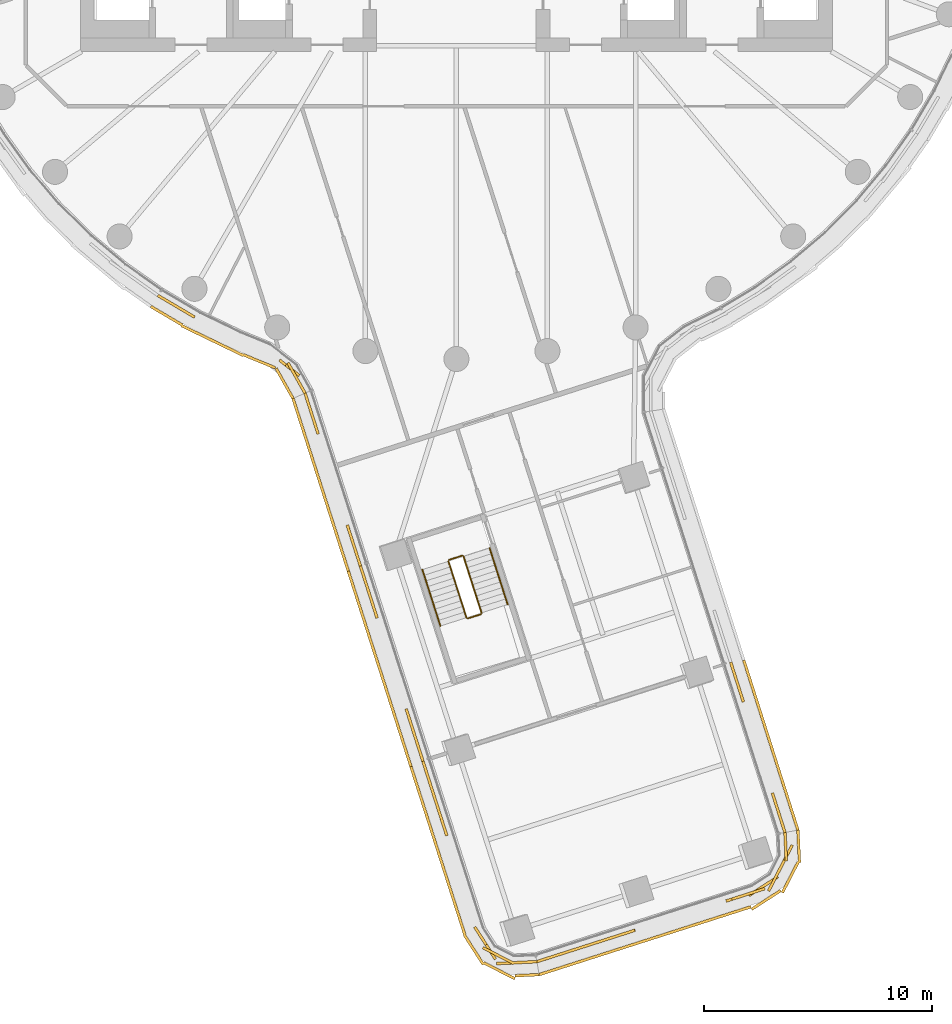
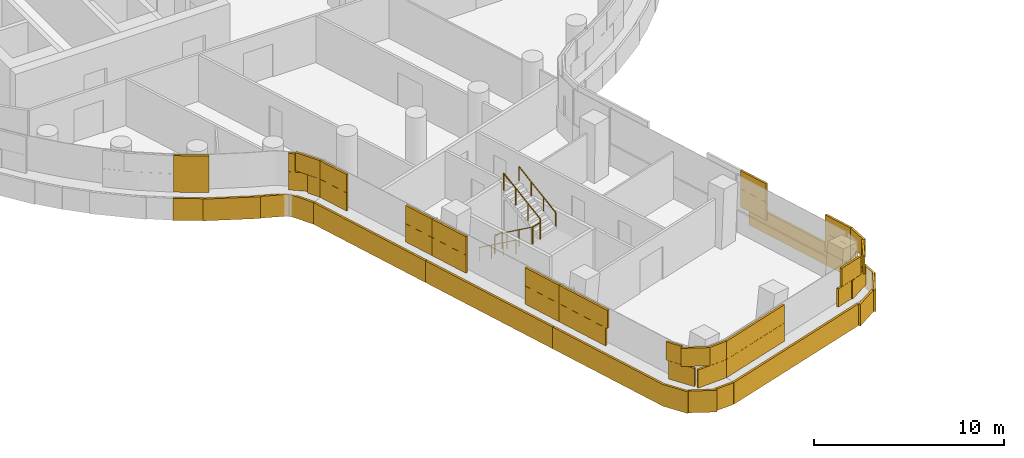
# One storey, part 24 of 30: 6 coverings, 6 railings.
"""IFC4 building model written with IfcOpenShell, lengths in metres."""

from ifc_helpers import new_model, si_unit, direction, frame, origin, origin_2d, place, context, subcontext, project, spatial, rectangle, circle, extrude, material, layer, layer_set, type_object, element, save


model = new_model("IFC4")

# Units and contexts
model_context = context("Model", 3, precision=1e-05, world=origin(), true_north=direction((0.0, 1.0)))
body_context = subcontext(model_context, "Body", "Model", "MODEL_VIEW")
ifc_project = project(units=[si_unit("LENGTHUNIT", "METRE"), si_unit("AREAUNIT", "SQUARE_METRE"), si_unit("VOLUMEUNIT", "CUBIC_METRE"), si_unit("PLANEANGLEUNIT", "RADIAN"), si_unit("MASSUNIT", "GRAM", prefix="KILO")], contexts=[model_context])

# Site, building, storey
site_placement = place(None, origin())
site = spatial("IfcSite", under=ifc_project, at=site_placement, CompositionType="ELEMENT")
building_placement = place(site_placement, origin())
building = spatial("IfcBuilding", under=site, at=building_placement, Name="Tamarind Cross Interchange Tower", CompositionType="ELEMENT")
storey_placement = place(building_placement, frame((0.0, 0.0, 98.5)))
storey = spatial("IfcBuildingStorey", under=building, at=storey_placement, Name="L23", CompositionType="ELEMENT", Elevation=98.5)

# Railings
ifc_material_1 = material(Name="Stair guard")
railing_type_1 = type_object("IfcRailingType", Name="Stair guard", PredefinedType="GUARDRAIL", material=ifc_material_1)
railing_1_placement = place(storey_placement, frame((-0.353271484375, -31.878662109375, 0.17041015625)))
element("IfcRailing", 1, at=railing_1_placement, inside=storey, type_object=railing_type_1, Name="L23 ST6 stair guard 1", PredefinedType="GUARDRAIL", context=body_context, shape_type="SweptSolid", body=[
    extrude(circle(Radius=0.02392578125, at=origin_2d()), frame((0.0, 0.0, 1.076171875), z_axis=(0.255136052864, -0.796426546061, 0.548279446322), x_axis=(0.952327065072, 0.305078942459, 0.0)), (0.0, 0.0, 1.0), 3.10888671875),
    extrude(circle(Radius=0.02099609375, at=origin_2d()), origin(), (0.0, 0.0, 1.0), 1.052001953125),
    extrude(circle(Radius=0.02099609375, at=origin_2d()), frame((0.264404296875, -0.825439453125, 0.568115234375)), (0.0, 0.0, 1.0), 1.052001953125),
    extrude(circle(Radius=0.02099609375, at=origin_2d()), frame((0.52880859375, -1.650634765625, 1.136474609375)), (0.0, 0.0, 1.0), 1.052001953125),
    extrude(circle(Radius=0.02099609375, at=origin_2d()), frame((0.793212890625, -2.47607421875, 1.70458984375)), (0.0, 0.0, 1.0), 1.052001953125),
])
railing_2_placement = place(storey_placement, frame((0.502685546875, -34.386962890625, 1.875)))
element("IfcRailing", 2, at=railing_2_placement, inside=storey, type_object=railing_type_1, Name="L23 ST6 stair guard 2", PredefinedType="GUARDRAIL", context=body_context, shape_type="SweptSolid", body=[
    extrude(circle(Radius=0.02392578125, at=origin_2d()), frame((0.0, 0.0, 1.076171875), z_axis=(0.95243831805, 0.304731439649, 0.0), x_axis=(-0.304731439649, 0.95243831805, 0.0)), (0.0, 0.0, 1.0), 0.60009765625),
    extrude(circle(Radius=0.02099609375, at=origin_2d()), origin(), (0.0, 0.0, 1.0), 1.052001953125),
    extrude(circle(Radius=0.02099609375, at=origin_2d()), frame((0.571533203125, 0.182861328125, 0.0)), (0.0, 0.0, 1.0), 1.052001953125),
])
railing_3_placement = place(storey_placement, frame((1.1064453125, -34.14111328125, 2.04541015625)))
element("IfcRailing", 3, at=railing_3_placement, inside=storey, type_object=railing_type_1, Name="L23 ST6 stair guard 3", PredefinedType="GUARDRAIL", context=body_context, shape_type="SweptSolid", body=[
    extrude(circle(Radius=0.02392578125, at=origin_2d()), frame((0.0, 0.0, 1.076171875), z_axis=(-0.255136052864, 0.796426546061, 0.548279446322), x_axis=(-0.952327065072, -0.305078942459, 0.0)), (0.0, 0.0, 1.0), 3.10888671875),
    extrude(circle(Radius=0.02099609375, at=origin_2d()), origin(), (0.0, 0.0, 1.0), 1.052001953125),
    extrude(circle(Radius=0.02099609375, at=origin_2d()), frame((-0.264404296875, 0.825439453125, 0.568115234375)), (0.0, 0.0, 1.0), 1.052001953125),
    extrude(circle(Radius=0.02099609375, at=origin_2d()), frame((-0.52880859375, 1.650634765625, 1.136474609375)), (0.0, 0.0, 1.0), 1.052001953125),
    extrude(circle(Radius=0.02099609375, at=origin_2d()), frame((-0.793212890625, 2.47607421875, 1.70458984375)), (0.0, 0.0, 1.0), 1.052001953125),
])
railing_4_placement = place(storey_placement, frame((-0.321044921875, -31.815673828125, 0.0)))
element("IfcRailing", 4, at=railing_4_placement, inside=storey, type_object=railing_type_1, Name="L23 ST6 stair guard 4", PredefinedType="GUARDRAIL", context=body_context, shape_type="SweptSolid", body=[
    extrude(circle(Radius=0.02392578125, at=origin_2d()), frame((0.0, 0.0, 1.076171875), z_axis=(0.95243831805, 0.304731439649, 0.0), x_axis=(-0.304731439649, 0.95243831805, 0.0)), (0.0, 0.0, 1.0), 0.60009765625),
    extrude(circle(Radius=0.02099609375, at=origin_2d()), origin(), (0.0, 0.0, 1.0), 1.052001953125),
    extrude(circle(Radius=0.02099609375, at=origin_2d()), frame((0.571533203125, 0.182861328125, 0.0)), (0.0, 0.0, 1.0), 1.052001953125),
])
ifc_material_2 = material(Name="Stair handrail")
railing_type_2 = type_object("IfcRailingType", Name="Stair handrail", PredefinedType="HANDRAIL", material=ifc_material_2)
railing_5_placement = place(storey_placement, frame((-1.49609375, -32.24462890625, 0.17041015625)))
element("IfcRailing", 5, at=railing_5_placement, inside=storey, type_object=railing_type_2, Name="L23 ST6 stair handrail 1", PredefinedType="HANDRAIL", context=body_context, shape_type="SweptSolid", body=[
    extrude(circle(Radius=0.02392578125, at=origin_2d()), frame((0.0, 0.0, 0.8759765625), z_axis=(0.255136052864, -0.796426546061, 0.548279446322), x_axis=(0.952327065072, 0.305078942459, 0.0)), (0.0, 0.0, 1.0), 3.10888671875),
    extrude(circle(Radius=0.02099609375, at=origin_2d()), origin(), (0.0, 0.0, 1.0), 0.851806640625),
    extrude(circle(Radius=0.02099609375, at=origin_2d()), frame((0.264404296875, -0.825439453125, 0.568115234375)), (0.0, 0.0, 1.0), 0.851806640625),
    extrude(circle(Radius=0.02099609375, at=origin_2d()), frame((0.52880859375, -1.650634765625, 1.136474609375)), (0.0, 0.0, 1.0), 0.851806640625),
    extrude(circle(Radius=0.02099609375, at=origin_2d()), frame((0.793212890625, -2.47607421875, 1.70458984375)), (0.0, 0.0, 1.0), 0.851806640625),
])
railing_6_placement = place(storey_placement, frame((2.249267578125, -33.775146484375, 2.04541015625)))
element("IfcRailing", 6, at=railing_6_placement, inside=storey, type_object=railing_type_2, Name="L23 ST6 stair handrail 2", PredefinedType="HANDRAIL", context=body_context, shape_type="SweptSolid", body=[
    extrude(circle(Radius=0.02392578125, at=origin_2d()), frame((0.0, 0.0, 0.8759765625), z_axis=(-0.255136052864, 0.796426546061, 0.548279446322), x_axis=(-0.952327065072, -0.305078942459, 0.0)), (0.0, 0.0, 1.0), 3.10888671875),
    extrude(circle(Radius=0.02099609375, at=origin_2d()), origin(), (0.0, 0.0, 1.0), 0.851806640625),
    extrude(circle(Radius=0.02099609375, at=origin_2d()), frame((-0.264404296875, 0.825439453125, 0.568115234375)), (0.0, 0.0, 1.0), 0.851806640625),
    extrude(circle(Radius=0.02099609375, at=origin_2d()), frame((-0.52880859375, 1.650634765625, 1.136474609375)), (0.0, 0.0, 1.0), 0.851806640625),
    extrude(circle(Radius=0.02099609375, at=origin_2d()), frame((-0.793212890625, 2.47607421875, 1.70458984375)), (0.0, 0.0, 1.0), 0.851806640625),
])

# Coverings
ifc_material_3 = material(Name="Terracotta", Category="masonry")
ifc_layer = layer(ifc_material_3, 0.1201171875)
ifc_layer_set = layer_set([ifc_layer], Name="Terracotta")
covering_type = type_object("IfcCoveringType", Name="Terracotta baguette screen unit", PredefinedType="MOLDING", material=ifc_layer_set)
covering_1_placement = place(storey_placement, origin())
element("IfcCovering", 7, at=covering_1_placement, inside=storey, type_object=covering_type, Name="SCR-L23-10-01", PredefinedType="MOLDING", context=body_context, shape_type="SweptSolid", body=[
    extrude(rectangle(XDim=1.169189453125, YDim=0.1201171875, at=origin_2d()), frame((-12.6015625, -20.5068359375, 1.404052734375), z_axis=(0.0, 0.0, 1.0), x_axis=(0.861248933065, -0.508183308752, 0.0)), (0.0, 0.0, 1.0), 1.1669921875),
    extrude(rectangle(XDim=0.716064453125, YDim=0.1201171875, at=origin_2d()), frame((-11.798095703125, -20.98095703125, 1.404052734375), z_axis=(0.0, 0.0, 1.0), x_axis=(0.861248933065, -0.508183308752, 0.0)), (0.0, 0.0, 1.0), 1.1669921875),
    extrude(rectangle(XDim=1.103759765625, YDim=0.1201171875, at=origin_2d()), frame((-7.331298828125, -23.38525390625, 1.404052734375), z_axis=(0.0, 0.0, 1.0), x_axis=(0.788748359531, -0.614716215288, 0.0)), (0.0, 0.0, 1.0), 1.1669921875),
    extrude(rectangle(XDim=0.78173828125, YDim=0.1201171875, at=origin_2d()), frame((-6.833251953125, -24.162841796875, 1.404052734375), z_axis=(0.0, 0.0, 1.0), x_axis=(0.489833203154, -0.87181616932, 0.0)), (0.0, 0.0, 1.0), 1.1669921875),
    extrude(rectangle(XDim=0.419189453125, YDim=0.1201171875, at=origin_2d()), frame((-12.924560546875, -20.31640625, 2.5791015625), z_axis=(0.0, 0.0, 1.0), x_axis=(0.861248933065, -0.508183308752, 0.0)), (0.0, 0.0, 1.0), 1.1669921875),
    extrude(rectangle(XDim=1.466064453125, YDim=0.1201171875, at=origin_2d()), frame((-12.12109375, -20.790283203125, 2.5791015625), z_axis=(0.0, 0.0, 1.0), x_axis=(0.861248933065, -0.508183308752, 0.0)), (0.0, 0.0, 1.0), 1.1669921875),
    extrude(rectangle(XDim=0.353759765625, YDim=0.1201171875, at=origin_2d()), frame((-7.627197265625, -23.15478515625, 2.5791015625), z_axis=(0.0, 0.0, 1.0), x_axis=(0.788748359531, -0.614716215288, 0.0)), (0.0, 0.0, 1.0), 1.1669921875),
    extrude(rectangle(XDim=1.52001953125, YDim=0.1201171875, at=origin_2d()), frame((-7.022216796875, -23.826416015625, 2.5791015625), z_axis=(0.0, 0.0, 1.0), x_axis=(0.489833203154, -0.87181616932, 0.0)), (0.0, 0.0, 1.0), 1.1669921875),
    extrude(rectangle(XDim=0.03173828125, YDim=0.1201171875, at=origin_2d()), frame((-6.649658203125, -24.48974609375, 2.5791015625), z_axis=(0.0, 0.0, 1.0), x_axis=(0.489833203154, -0.87181616932, 0.0)), (0.0, 0.0, 1.0), 1.1669921875),
    extrude(rectangle(XDim=0.097900390625, YDim=0.1201171875, at=origin_2d()), frame((-13.37109375, -20.71923828125, 0.00390625), z_axis=(0.0, 0.0, 1.0), x_axis=(0.861248933065, -0.508183308752, 0.0)), (0.0, 0.0, 1.0), 1.39208984375),
    extrude(rectangle(XDim=1.52001953125, YDim=0.1201171875, at=origin_2d()), frame((-12.691650390625, -21.120361328125, 0.00390625), z_axis=(0.0, 0.0, 1.0), x_axis=(0.861248933065, -0.508183308752, 0.0)), (0.0, 0.0, 1.0), 1.39208984375),
    extrude(rectangle(XDim=1.52001953125, YDim=0.1201171875, at=origin_2d()), frame((-11.388671875, -21.86181640625, 0.00390625), z_axis=(0.0, 0.0, 1.0), x_axis=(0.900272776334, -0.435326231914, 0.0)), (0.0, 0.0, 1.0), 1.39208984375),
    extrude(rectangle(XDim=1.52001953125, YDim=0.1201171875, at=origin_2d()), frame((-10.0380859375, -22.514892578125, 0.00390625), z_axis=(0.0, 0.0, 1.0), x_axis=(0.900272776334, -0.435326231914, 0.0)), (0.0, 0.0, 1.0), 1.39208984375),
    extrude(rectangle(XDim=1.52001953125, YDim=0.1201171875, at=origin_2d()), frame((-8.65673828125, -23.0986328125, 0.00390625), z_axis=(0.0, 0.0, 1.0), x_axis=(0.924979748676, -0.380016400355, 0.0)), (0.0, 0.0, 1.0), 1.39208984375),
    extrude(rectangle(XDim=1.52001953125, YDim=0.1201171875, at=origin_2d()), frame((-7.542236328125, -24.072998046875, 0.00390625), z_axis=(0.0, 0.0, 1.0), x_axis=(0.489833203154, -0.87181616932, 0.0)), (0.0, 0.0, 1.0), 1.39208984375),
])
covering_2_placement = place(storey_placement, origin())
element("IfcCovering", 8, at=covering_2_placement, inside=storey, type_object=covering_type, Name="SCR-L23-11-00", PredefinedType="MOLDING", context=body_context, shape_type="SweptSolid", body=[
    extrude(rectangle(XDim=0.760009765625, YDim=0.1201171875, at=origin_2d()), frame((-6.52978515625, -24.8564453125, 1.404052734375), z_axis=(0.0, 0.0, 1.0), x_axis=(0.305057113111, -0.95233405785, 0.0)), (0.0, 0.0, 1.0), 1.1669921875),
    extrude(rectangle(XDim=1.138427734375, YDim=0.1201171875, at=origin_2d()), frame((-6.243408203125, -25.750732421875, 1.404052734375), z_axis=(0.0, 0.0, 1.0), x_axis=(0.305057113111, -0.95233405785, 0.0)), (0.0, 0.0, 1.0), 1.1669921875),
    extrude(rectangle(XDim=0.681640625, YDim=0.1201171875, at=origin_2d()), frame((-4.6875, -30.607666015625, 1.404052734375), z_axis=(0.0, 0.0, 1.0), x_axis=(0.305057113111, -0.95233405785, 0.0)), (0.0, 0.0, 1.0), 1.1669921875),
    extrude(rectangle(XDim=1.216796875, YDim=0.1201171875, at=origin_2d()), frame((-4.401123046875, -31.502197265625, 1.404052734375), z_axis=(0.0, 0.0, 1.0), x_axis=(0.305057113111, -0.95233405785, 0.0)), (0.0, 0.0, 1.0), 1.1669921875),
    extrude(rectangle(XDim=1.510009765625, YDim=0.1201171875, at=origin_2d()), frame((-6.41552734375, -25.21337890625, 2.5791015625), z_axis=(0.0, 0.0, 1.0), x_axis=(0.305057113111, -0.95233405785, 0.0)), (0.0, 0.0, 1.0), 1.1669921875),
    extrude(rectangle(XDim=0.388427734375, YDim=0.1201171875, at=origin_2d()), frame((-6.12890625, -26.10791015625, 2.5791015625), z_axis=(0.0, 0.0, 1.0), x_axis=(0.305057113111, -0.95233405785, 0.0)), (0.0, 0.0, 1.0), 1.1669921875),
    extrude(rectangle(XDim=1.431640625, YDim=0.1201171875, at=origin_2d()), frame((-4.5732421875, -30.96484375, 2.5791015625), z_axis=(0.0, 0.0, 1.0), x_axis=(0.305057113111, -0.95233405785, 0.0)), (0.0, 0.0, 1.0), 1.1669921875),
    extrude(rectangle(XDim=0.466796875, YDim=0.1201171875, at=origin_2d()), frame((-4.28662109375, -31.859130859375, 2.5791015625), z_axis=(0.0, 0.0, 1.0), x_axis=(0.305057113111, -0.95233405785, 0.0)), (0.0, 0.0, 1.0), 1.1669921875),
    extrude(rectangle(XDim=0.760009765625, YDim=0.1201171875, at=origin_2d()), frame((-7.057373046875, -25.091552734375, 0.00390625), z_axis=(0.0, 0.0, 1.0), x_axis=(0.305057113111, -0.95233405785, 0.0)), (0.0, 0.0, 1.0), 1.39208984375),
    extrude(rectangle(XDim=1.52001953125, YDim=0.1201171875, at=origin_2d()), frame((-6.715576171875, -26.158203125, 0.00390625), z_axis=(0.0, 0.0, 1.0), x_axis=(0.305057113111, -0.95233405785, 0.0)), (0.0, 0.0, 1.0), 1.39208984375),
    extrude(rectangle(XDim=1.52001953125, YDim=0.1201171875, at=origin_2d()), frame((-6.258056640625, -27.586669921875, 0.00390625), z_axis=(0.0, 0.0, 1.0), x_axis=(0.305057113111, -0.95233405785, 0.0)), (0.0, 0.0, 1.0), 1.39208984375),
    extrude(rectangle(XDim=1.52001953125, YDim=0.1201171875, at=origin_2d()), frame((-5.800537109375, -29.01513671875, 0.00390625), z_axis=(0.0, 0.0, 1.0), x_axis=(0.305057113111, -0.95233405785, 0.0)), (0.0, 0.0, 1.0), 1.39208984375),
    extrude(rectangle(XDim=1.52001953125, YDim=0.1201171875, at=origin_2d()), frame((-5.3427734375, -30.443603515625, 0.00390625), z_axis=(0.0, 0.0, 1.0), x_axis=(0.305057113111, -0.95233405785, 0.0)), (0.0, 0.0, 1.0), 1.39208984375),
    extrude(rectangle(XDim=1.222412109375, YDim=0.1201171875, at=origin_2d()), frame((-4.9306640625, -31.73046875, 0.00390625), z_axis=(0.0, 0.0, 1.0), x_axis=(0.305057113111, -0.95233405785, 0.0)), (0.0, 0.0, 1.0), 1.39208984375),
])
covering_3_placement = place(storey_placement, origin())
element("IfcCovering", 9, at=covering_3_placement, inside=storey, type_object=covering_type, Name="SCR-L23-11-01", PredefinedType="MOLDING", context=body_context, shape_type="SweptSolid", body=[
    extrude(rectangle(XDim=0.30322265625, YDim=0.1201171875, at=origin_2d()), frame((-4.17236328125, -32.21630859375, 1.404052734375), z_axis=(0.0, 0.0, 1.0), x_axis=(0.305057113111, -0.95233405785, 0.0)), (0.0, 0.0, 1.0), 1.1669921875),
    extrude(rectangle(XDim=1.52001953125, YDim=0.1201171875, at=origin_2d()), frame((-3.898681640625, -33.0703125, 1.404052734375), z_axis=(0.0, 0.0, 1.0), x_axis=(0.305057113111, -0.95233405785, 0.0)), (0.0, 0.0, 1.0), 1.1669921875),
    extrude(rectangle(XDim=0.6171875, YDim=0.1201171875, at=origin_2d()), frame((-3.577392578125, -34.07373046875, 1.404052734375), z_axis=(0.0, 0.0, 1.0), x_axis=(0.305057113111, -0.95233405785, 0.0)), (0.0, 0.0, 1.0), 1.1669921875),
    extrude(rectangle(XDim=1.20263671875, YDim=0.1201171875, at=origin_2d()), frame((-2.021484375, -38.9306640625, 1.404052734375), z_axis=(0.0, 0.0, 1.0), x_axis=(0.305057113111, -0.95233405785, 0.0)), (0.0, 0.0, 1.0), 1.1669921875),
    extrude(rectangle(XDim=1.2177734375, YDim=0.1201171875, at=origin_2d()), frame((-1.655517578125, -40.073486328125, 1.404052734375), z_axis=(0.0, 0.0, 1.0), x_axis=(0.305057113111, -0.95233405785, 0.0)), (0.0, 0.0, 1.0), 1.1669921875),
    extrude(rectangle(XDim=1.05322265625, YDim=0.1201171875, at=origin_2d()), frame((-4.057861328125, -32.573486328125, 2.5791015625), z_axis=(0.0, 0.0, 1.0), x_axis=(0.305057113111, -0.95233405785, 0.0)), (0.0, 0.0, 1.0), 1.1669921875),
    extrude(rectangle(XDim=1.3671875, YDim=0.1201171875, at=origin_2d()), frame((-3.691650390625, -33.716552734375, 2.5791015625), z_axis=(0.0, 0.0, 1.0), x_axis=(0.305057113111, -0.95233405785, 0.0)), (0.0, 0.0, 1.0), 1.1669921875),
    extrude(rectangle(XDim=0.45263671875, YDim=0.1201171875, at=origin_2d()), frame((-2.135986328125, -38.573486328125, 2.5791015625), z_axis=(0.0, 0.0, 1.0), x_axis=(0.305057113111, -0.95233405785, 0.0)), (0.0, 0.0, 1.0), 1.1669921875),
    extrude(rectangle(XDim=1.52001953125, YDim=0.1201171875, at=origin_2d()), frame((-1.839599609375, -39.49853515625, 2.5791015625), z_axis=(0.0, 0.0, 1.0), x_axis=(0.305057113111, -0.95233405785, 0.0)), (0.0, 0.0, 1.0), 1.1669921875),
    extrude(rectangle(XDim=0.4677734375, YDim=0.1201171875, at=origin_2d()), frame((-1.541015625, -40.4306640625, 2.5791015625), z_axis=(0.0, 0.0, 1.0), x_axis=(0.305057113111, -0.95233405785, 0.0)), (0.0, 0.0, 1.0), 1.1669921875),
    extrude(rectangle(XDim=0.297607421875, YDim=0.1201171875, at=origin_2d()), frame((-4.69873046875, -32.454345703125, 0.00390625), z_axis=(0.0, 0.0, 1.0), x_axis=(0.305057113111, -0.95233405785, 0.0)), (0.0, 0.0, 1.0), 1.39208984375),
    extrude(rectangle(XDim=1.52001953125, YDim=0.1201171875, at=origin_2d()), frame((-4.427734375, -33.30078125, 0.00390625), z_axis=(0.0, 0.0, 1.0), x_axis=(0.305057113111, -0.95233405785, 0.0)), (0.0, 0.0, 1.0), 1.39208984375),
    extrude(rectangle(XDim=1.52001953125, YDim=0.1201171875, at=origin_2d()), frame((-3.97021484375, -34.729248046875, 0.00390625), z_axis=(0.0, 0.0, 1.0), x_axis=(0.305057113111, -0.95233405785, 0.0)), (0.0, 0.0, 1.0), 1.39208984375),
    extrude(rectangle(XDim=1.52001953125, YDim=0.1201171875, at=origin_2d()), frame((-3.512451171875, -36.15771484375, 0.00390625), z_axis=(0.0, 0.0, 1.0), x_axis=(0.305057113111, -0.95233405785, 0.0)), (0.0, 0.0, 1.0), 1.39208984375),
    extrude(rectangle(XDim=1.52001953125, YDim=0.1201171875, at=origin_2d()), frame((-3.054931640625, -37.586181640625, 0.00390625), z_axis=(0.0, 0.0, 1.0), x_axis=(0.305057113111, -0.95233405785, 0.0)), (0.0, 0.0, 1.0), 1.39208984375),
    extrude(rectangle(XDim=1.52001953125, YDim=0.1201171875, at=origin_2d()), frame((-2.597412109375, -39.0146484375, 0.00390625), z_axis=(0.0, 0.0, 1.0), x_axis=(0.305057113111, -0.95233405785, 0.0)), (0.0, 0.0, 1.0), 1.39208984375),
    extrude(rectangle(XDim=1.229736328125, YDim=0.1201171875, at=origin_2d()), frame((-2.18408203125, -40.304931640625, 0.00390625), z_axis=(0.0, 0.0, 1.0), x_axis=(0.305057113111, -0.95233405785, 0.0)), (0.0, 0.0, 1.0), 1.39208984375),
])
covering_4_placement = place(storey_placement, origin())
element("IfcCovering", 10, at=covering_4_placement, inside=storey, type_object=covering_type, Name="SCR-L23-11-02", PredefinedType="MOLDING", context=body_context, shape_type="SweptSolid", body=[
    extrude(rectangle(XDim=0.30224609375, YDim=0.1201171875, at=origin_2d()), frame((-1.426513671875, -40.787841796875, 1.404052734375), z_axis=(0.0, 0.0, 1.0), x_axis=(0.305057113111, -0.95233405785, 0.0)), (0.0, 0.0, 1.0), 1.1669921875),
    extrude(rectangle(XDim=1.52001953125, YDim=0.1201171875, at=origin_2d()), frame((-1.1533203125, -41.641357421875, 1.404052734375), z_axis=(0.0, 0.0, 1.0), x_axis=(0.305057113111, -0.95233405785, 0.0)), (0.0, 0.0, 1.0), 1.1669921875),
    extrude(rectangle(XDim=1.52001953125, YDim=0.1201171875, at=origin_2d()), frame((-0.69580078125, -43.06982421875, 1.404052734375), z_axis=(0.0, 0.0, 1.0), x_axis=(0.305057113111, -0.95233405785, 0.0)), (0.0, 0.0, 1.0), 1.1669921875),
    extrude(rectangle(XDim=1.52001953125, YDim=0.1201171875, at=origin_2d()), frame((1.30224609375, -48.704833984375, 1.404052734375), z_axis=(0.0, 0.0, 1.0), x_axis=(0.541144735519, -0.840929471014, 0.0)), (0.0, 0.0, 1.0), 1.1669921875),
    extrude(rectangle(XDim=1.52001953125, YDim=0.1201171875, at=origin_2d()), frame((2.515869140625, -49.502197265625, 1.404052734375), z_axis=(0.0, 0.0, 1.0), x_axis=(0.998838652449, 0.048180352576, 0.0)), (0.0, 0.0, 1.0), 1.1669921875),
    extrude(rectangle(XDim=0.276611328125, YDim=0.1201171875, at=origin_2d()), frame((3.398193359375, -49.459716796875, 1.404052734375), z_axis=(0.0, 0.0, 1.0), x_axis=(0.998838652449, 0.048180352576, 0.0)), (0.0, 0.0, 1.0), 1.1669921875),
    extrude(rectangle(XDim=1.05224609375, YDim=0.1201171875, at=origin_2d()), frame((-1.312255859375, -41.14501953125, 2.5791015625), z_axis=(0.0, 0.0, 1.0), x_axis=(0.305057113111, -0.95233405785, 0.0)), (0.0, 0.0, 1.0), 1.1669921875),
    extrude(rectangle(XDim=1.52001953125, YDim=0.1201171875, at=origin_2d()), frame((-0.924560546875, -42.35546875, 2.5791015625), z_axis=(0.0, 0.0, 1.0), x_axis=(0.305057113111, -0.95233405785, 0.0)), (0.0, 0.0, 1.0), 1.1669921875),
    extrude(rectangle(XDim=0.897216796875, YDim=0.1201171875, at=origin_2d()), frame((-0.560302734375, -43.4921875, 2.5791015625), z_axis=(0.0, 0.0, 1.0), x_axis=(0.305057113111, -0.95233405785, 0.0)), (0.0, 0.0, 1.0), 1.1669921875),
    extrude(rectangle(XDim=0.9228515625, YDim=0.1201171875, at=origin_2d()), frame((1.05517578125, -48.32080078125, 2.5791015625), z_axis=(0.0, 0.0, 1.0), x_axis=(0.541144735519, -0.840929471014, 0.0)), (0.0, 0.0, 1.0), 1.1669921875),
    extrude(rectangle(XDim=1.52001953125, YDim=0.1201171875, at=origin_2d()), frame((1.843017578125, -49.186767578125, 2.5791015625), z_axis=(0.0, 0.0, 1.0), x_axis=(0.889109823591, -0.45769391693, 0.0)), (0.0, 0.0, 1.0), 1.1669921875),
    extrude(rectangle(XDim=1.026611328125, YDim=0.1201171875, at=origin_2d()), frame((3.023681640625, -49.477783203125, 2.5791015625), z_axis=(0.0, 0.0, 1.0), x_axis=(0.998838652449, 0.048180352576, 0.0)), (0.0, 0.0, 1.0), 1.1669921875),
    extrude(rectangle(XDim=0.290283203125, YDim=0.1201171875, at=origin_2d()), frame((-1.9521484375, -41.02880859375, 0.00390625), z_axis=(0.0, 0.0, 1.0), x_axis=(0.305057113111, -0.95233405785, 0.0)), (0.0, 0.0, 1.0), 1.39208984375),
    extrude(rectangle(XDim=1.52001953125, YDim=0.1201171875, at=origin_2d()), frame((-1.68212890625, -41.871826171875, 0.00390625), z_axis=(0.0, 0.0, 1.0), x_axis=(0.305057113111, -0.95233405785, 0.0)), (0.0, 0.0, 1.0), 1.39208984375),
    extrude(rectangle(XDim=1.52001953125, YDim=0.1201171875, at=origin_2d()), frame((-1.224609375, -43.30029296875, 0.00390625), z_axis=(0.0, 0.0, 1.0), x_axis=(0.305057113111, -0.95233405785, 0.0)), (0.0, 0.0, 1.0), 1.39208984375),
    extrude(rectangle(XDim=1.52001953125, YDim=0.1201171875, at=origin_2d()), frame((-0.76708984375, -44.728759765625, 0.00390625), z_axis=(0.0, 0.0, 1.0), x_axis=(0.305057113111, -0.95233405785, 0.0)), (0.0, 0.0, 1.0), 1.39208984375),
    extrude(rectangle(XDim=1.52001953125, YDim=0.1201171875, at=origin_2d()), frame((-0.309326171875, -46.1572265625, 0.00390625), z_axis=(0.0, 0.0, 1.0), x_axis=(0.305057113111, -0.95233405785, 0.0)), (0.0, 0.0, 1.0), 1.39208984375),
    extrude(rectangle(XDim=1.52001953125, YDim=0.1201171875, at=origin_2d()), frame((0.148193359375, -47.585693359375, 0.00390625), z_axis=(0.0, 0.0, 1.0), x_axis=(0.305057113111, -0.95233405785, 0.0)), (0.0, 0.0, 1.0), 1.39208984375),
    extrude(rectangle(XDim=1.52001953125, YDim=0.1201171875, at=origin_2d()), frame((0.76904296875, -48.937255859375, 0.00390625), z_axis=(0.0, 0.0, 1.0), x_axis=(0.541144735519, -0.840929471014, 0.0)), (0.0, 0.0, 1.0), 1.39208984375),
    extrude(rectangle(XDim=1.52001953125, YDim=0.1201171875, at=origin_2d()), frame((1.89111328125, -49.85693359375, 0.00390625), z_axis=(0.0, 0.0, 1.0), x_axis=(0.889109823591, -0.45769391693, 0.0)), (0.0, 0.0, 1.0), 1.39208984375),
    extrude(rectangle(XDim=1.060302734375, YDim=0.1201171875, at=origin_2d()), frame((3.10498046875, -50.048583984375, 0.00390625), z_axis=(0.0, 0.0, 1.0), x_axis=(0.998838652449, 0.048180352576, 0.0)), (0.0, 0.0, 1.0), 1.39208984375),
])
covering_5_placement = place(storey_placement, origin())
element("IfcCovering", 11, at=covering_5_placement, inside=storey, type_object=covering_type, Name="SCR-L23-12-00", PredefinedType="MOLDING", context=body_context, shape_type="SweptSolid", body=[
    extrude(rectangle(XDim=0.760009765625, YDim=0.1201171875, at=origin_2d()), frame((3.888427734375, -49.3388671875, 1.404052734375), z_axis=(0.0, 0.0, 1.0), x_axis=(0.95233405785, 0.305057113111, 0.0)), (0.0, 0.0, 1.0), 1.1669921875),
    extrude(rectangle(XDim=1.52001953125, YDim=0.1201171875, at=origin_2d()), frame((4.959716796875, -48.99560546875, 1.404052734375), z_axis=(0.0, 0.0, 1.0), x_axis=(0.95233405785, 0.305057113111, 0.0)), (0.0, 0.0, 1.0), 1.1669921875),
    extrude(rectangle(XDim=1.52001953125, YDim=0.1201171875, at=origin_2d()), frame((6.38818359375, -48.5380859375, 1.404052734375), z_axis=(0.0, 0.0, 1.0), x_axis=(0.95233405785, 0.305057113111, 0.0)), (0.0, 0.0, 1.0), 1.1669921875),
    extrude(rectangle(XDim=0.784912109375, YDim=0.1201171875, at=origin_2d()), frame((7.471435546875, -48.191162109375, 1.404052734375), z_axis=(0.0, 0.0, 1.0), x_axis=(0.95233405785, 0.305057113111, 0.0)), (0.0, 0.0, 1.0), 1.1669921875),
    extrude(rectangle(XDim=1.03515625, YDim=0.1201171875, at=origin_2d()), frame((12.328369140625, -46.63525390625, 1.404052734375), z_axis=(0.0, 0.0, 1.0), x_axis=(0.95233405785, 0.305057113111, 0.0)), (0.0, 0.0, 1.0), 1.1669921875),
    extrude(rectangle(XDim=1.52001953125, YDim=0.1201171875, at=origin_2d()), frame((13.477783203125, -46.1376953125, 1.404052734375), z_axis=(0.0, 0.0, 1.0), x_axis=(0.840929471014, 0.541144735519, 0.0)), (0.0, 0.0, 1.0), 1.1669921875),
    extrude(rectangle(XDim=1.52001953125, YDim=0.1201171875, at=origin_2d()), frame((14.392333984375, -45.010986328125, 1.404052734375), z_axis=(0.0, 0.0, 1.0), x_axis=(0.45769391693, 0.889109823591, 0.0)), (0.0, 0.0, 1.0), 1.1669921875),
    extrude(rectangle(XDim=0.509521484375, YDim=0.1201171875, at=origin_2d()), frame((14.434326171875, -44.031982421875, 1.404052734375), z_axis=(0.0, 0.0, 1.0), x_axis=(-0.048180352576, 0.998838652449, 0.0)), (0.0, 0.0, 1.0), 1.1669921875),
    extrude(rectangle(XDim=1.510009765625, YDim=0.1201171875, at=origin_2d()), frame((4.24560546875, -49.224365234375, 2.5791015625), z_axis=(0.0, 0.0, 1.0), x_axis=(0.95233405785, 0.305057113111, 0.0)), (0.0, 0.0, 1.0), 1.1669921875),
    extrude(rectangle(XDim=1.52001953125, YDim=0.1201171875, at=origin_2d()), frame((5.674072265625, -48.766845703125, 2.5791015625), z_axis=(0.0, 0.0, 1.0), x_axis=(0.95233405785, 0.305057113111, 0.0)), (0.0, 0.0, 1.0), 1.1669921875),
    extrude(rectangle(XDim=1.52001953125, YDim=0.1201171875, at=origin_2d()), frame((7.1025390625, -48.309326171875, 2.5791015625), z_axis=(0.0, 0.0, 1.0), x_axis=(0.95233405785, 0.305057113111, 0.0)), (0.0, 0.0, 1.0), 1.1669921875),
    extrude(rectangle(XDim=1.52001953125, YDim=0.1201171875, at=origin_2d()), frame((12.816650390625, -46.47900390625, 2.5791015625), z_axis=(0.0, 0.0, 1.0), x_axis=(0.95233405785, 0.305057113111, 0.0)), (0.0, 0.0, 1.0), 1.1669921875),
    extrude(rectangle(XDim=1.52001953125, YDim=0.1201171875, at=origin_2d()), frame((14.049072265625, -45.677978515625, 2.5791015625), z_axis=(0.0, 0.0, 1.0), x_axis=(0.45769391693, 0.889109823591, 0.0)), (0.0, 0.0, 1.0), 1.1669921875),
    extrude(rectangle(XDim=1.259521484375, YDim=0.1201171875, at=origin_2d()), frame((14.452392578125, -44.406494140625, 2.5791015625), z_axis=(0.0, 0.0, 1.0), x_axis=(-0.048180352576, 0.998838652449, 0.0)), (0.0, 0.0, 1.0), 1.1669921875),
    extrude(rectangle(XDim=0.760009765625, YDim=0.1201171875, at=origin_2d()), frame((3.996337890625, -49.906982421875, 0.00390625), z_axis=(0.0, 0.0, 1.0), x_axis=(0.95233405785, 0.305057113111, 0.0)), (0.0, 0.0, 1.0), 1.39208984375),
    extrude(rectangle(XDim=1.52001953125, YDim=0.1201171875, at=origin_2d()), frame((5.06298828125, -49.5654296875, 0.00390625), z_axis=(0.0, 0.0, 1.0), x_axis=(0.95233405785, 0.305057113111, 0.0)), (0.0, 0.0, 1.0), 1.39208984375),
    extrude(rectangle(XDim=1.52001953125, YDim=0.1201171875, at=origin_2d()), frame((6.491455078125, -49.10791015625, 0.00390625), z_axis=(0.0, 0.0, 1.0), x_axis=(0.95233405785, 0.305057113111, 0.0)), (0.0, 0.0, 1.0), 1.39208984375),
    extrude(rectangle(XDim=1.52001953125, YDim=0.1201171875, at=origin_2d()), frame((7.919921875, -48.650146484375, 0.00390625), z_axis=(0.0, 0.0, 1.0), x_axis=(0.95233405785, 0.305057113111, 0.0)), (0.0, 0.0, 1.0), 1.39208984375),
    extrude(rectangle(XDim=1.52001953125, YDim=0.1201171875, at=origin_2d()), frame((9.348388671875, -48.192626953125, 0.00390625), z_axis=(0.0, 0.0, 1.0), x_axis=(0.95233405785, 0.305057113111, 0.0)), (0.0, 0.0, 1.0), 1.39208984375),
    extrude(rectangle(XDim=1.52001953125, YDim=0.1201171875, at=origin_2d()), frame((10.77685546875, -47.735107421875, 0.00390625), z_axis=(0.0, 0.0, 1.0), x_axis=(0.95233405785, 0.305057113111, 0.0)), (0.0, 0.0, 1.0), 1.39208984375),
    extrude(rectangle(XDim=1.52001953125, YDim=0.1201171875, at=origin_2d()), frame((12.205322265625, -47.27734375, 0.00390625), z_axis=(0.0, 0.0, 1.0), x_axis=(0.95233405785, 0.305057113111, 0.0)), (0.0, 0.0, 1.0), 1.39208984375),
    extrude(rectangle(XDim=1.52001953125, YDim=0.1201171875, at=origin_2d()), frame((13.59765625, -46.7431640625, 0.00390625), z_axis=(0.0, 0.0, 1.0), x_axis=(0.840929471014, 0.541144735519, 0.0)), (0.0, 0.0, 1.0), 1.39208984375),
    extrude(rectangle(XDim=1.52001953125, YDim=0.1201171875, at=origin_2d()), frame((14.657958984375, -45.748779296875, 0.00390625), z_axis=(0.0, 0.0, 1.0), x_axis=(0.45769391693, 0.889109823591, 0.0)), (0.0, 0.0, 1.0), 1.39208984375),
    extrude(rectangle(XDim=1.4267578125, YDim=0.1201171875, at=origin_2d()), frame((15.0263671875, -44.392333984375, 0.00390625), z_axis=(0.0, 0.0, 1.0), x_axis=(-0.048180352576, 0.998838652449, 0.0)), (0.0, 0.0, 1.0), 1.39208984375),
])
covering_6_placement = place(storey_placement, origin())
element("IfcCovering", 12, at=covering_6_placement, inside=storey, type_object=covering_type, Name="SCR-L23-13-00", PredefinedType="MOLDING", context=body_context, shape_type="SweptSolid", body=[
    extrude(rectangle(XDim=0.760009765625, YDim=0.1201171875, at=origin_2d()), frame((14.308349609375, -43.42529296875, 1.404052734375), z_axis=(0.0, 0.0, 1.0), x_axis=(-0.303682573614, 0.952773264992, 0.0)), (0.0, 0.0, 1.0), 1.1669921875),
    extrude(rectangle(XDim=1.075439453125, YDim=0.1201171875, at=origin_2d()), frame((14.03271484375, -42.560302734375, 1.404052734375), z_axis=(0.0, 0.0, 1.0), x_axis=(-0.303682573614, 0.952773264992, 0.0)), (0.0, 0.0, 1.0), 1.1669921875),
    extrude(rectangle(XDim=0.744384765625, YDim=0.1201171875, at=origin_2d()), frame((12.484130859375, -37.701171875, 1.404052734375), z_axis=(0.0, 0.0, 1.0), x_axis=(-0.303682573614, 0.952773264992, 0.0)), (0.0, 0.0, 1.0), 1.1669921875),
    extrude(rectangle(XDim=1.091064453125, YDim=0.1201171875, at=origin_2d()), frame((12.208251953125, -36.836181640625, 1.404052734375), z_axis=(0.0, 0.0, 1.0), x_axis=(-0.303682573614, 0.952773264992, 0.0)), (0.0, 0.0, 1.0), 1.1669921875),
    extrude(rectangle(XDim=1.510009765625, YDim=0.1201171875, at=origin_2d()), frame((14.194580078125, -43.06787109375, 2.5791015625), z_axis=(0.0, 0.0, 1.0), x_axis=(-0.303682573614, 0.952773264992, 0.0)), (0.0, 0.0, 1.0), 1.1669921875),
    extrude(rectangle(XDim=0.325439453125, YDim=0.1201171875, at=origin_2d()), frame((13.9189453125, -42.203125, 2.5791015625), z_axis=(0.0, 0.0, 1.0), x_axis=(-0.303682573614, 0.952773264992, 0.0)), (0.0, 0.0, 1.0), 1.1669921875),
    extrude(rectangle(XDim=1.494384765625, YDim=0.1201171875, at=origin_2d()), frame((12.3701171875, -37.343994140625, 2.5791015625), z_axis=(0.0, 0.0, 1.0), x_axis=(-0.303682573614, 0.952773264992, 0.0)), (0.0, 0.0, 1.0), 1.1669921875),
    extrude(rectangle(XDim=0.341064453125, YDim=0.1201171875, at=origin_2d()), frame((12.094482421875, -36.47900390625, 2.5791015625), z_axis=(0.0, 0.0, 1.0), x_axis=(-0.303682573614, 0.952773264992, 0.0)), (0.0, 0.0, 1.0), 1.1669921875),
    extrude(rectangle(XDim=0.760009765625, YDim=0.1201171875, at=origin_2d()), frame((14.876708984375, -43.317626953125, 0.00390625), z_axis=(0.0, 0.0, 1.0), x_axis=(-0.303682573614, 0.952773264992, 0.0)), (0.0, 0.0, 1.0), 1.39208984375),
    extrude(rectangle(XDim=1.52001953125, YDim=0.1201171875, at=origin_2d()), frame((14.53662109375, -42.25048828125, 0.00390625), z_axis=(0.0, 0.0, 1.0), x_axis=(-0.303682573614, 0.952773264992, 0.0)), (0.0, 0.0, 1.0), 1.39208984375),
    extrude(rectangle(XDim=1.52001953125, YDim=0.1201171875, at=origin_2d()), frame((14.0810546875, -40.821533203125, 0.00390625), z_axis=(0.0, 0.0, 1.0), x_axis=(-0.303682573614, 0.952773264992, 0.0)), (0.0, 0.0, 1.0), 1.39208984375),
    extrude(rectangle(XDim=1.52001953125, YDim=0.1201171875, at=origin_2d()), frame((13.62548828125, -39.392333984375, 0.00390625), z_axis=(0.0, 0.0, 1.0), x_axis=(-0.303682573614, 0.952773264992, 0.0)), (0.0, 0.0, 1.0), 1.39208984375),
    extrude(rectangle(XDim=1.52001953125, YDim=0.1201171875, at=origin_2d()), frame((13.169921875, -37.963134765625, 0.00390625), z_axis=(0.0, 0.0, 1.0), x_axis=(-0.303682573614, 0.952773264992, 0.0)), (0.0, 0.0, 1.0), 1.39208984375),
    extrude(rectangle(XDim=1.085205078125, YDim=0.1201171875, at=origin_2d()), frame((12.780517578125, -36.740966796875, 0.00390625), z_axis=(0.0, 0.0, 1.0), x_axis=(-0.303682573614, 0.952773264992, 0.0)), (0.0, 0.0, 1.0), 1.39208984375),
])

save(model, "model.ifc")
